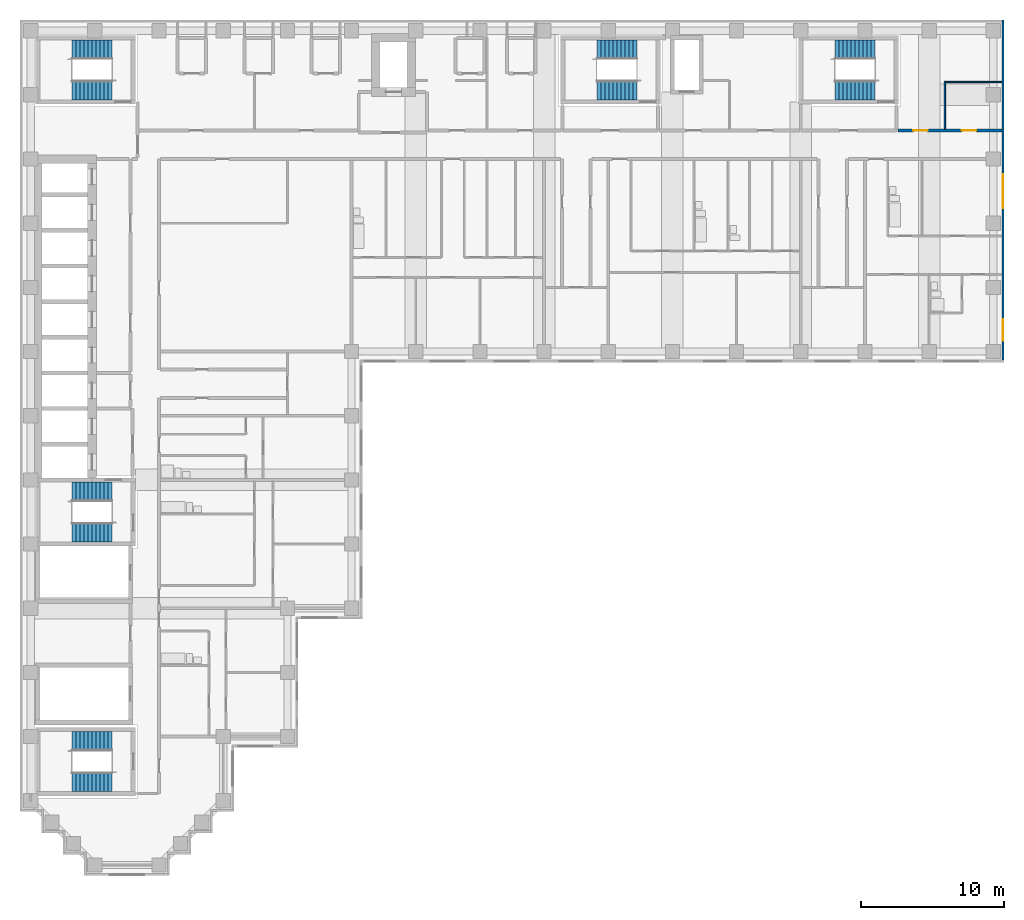
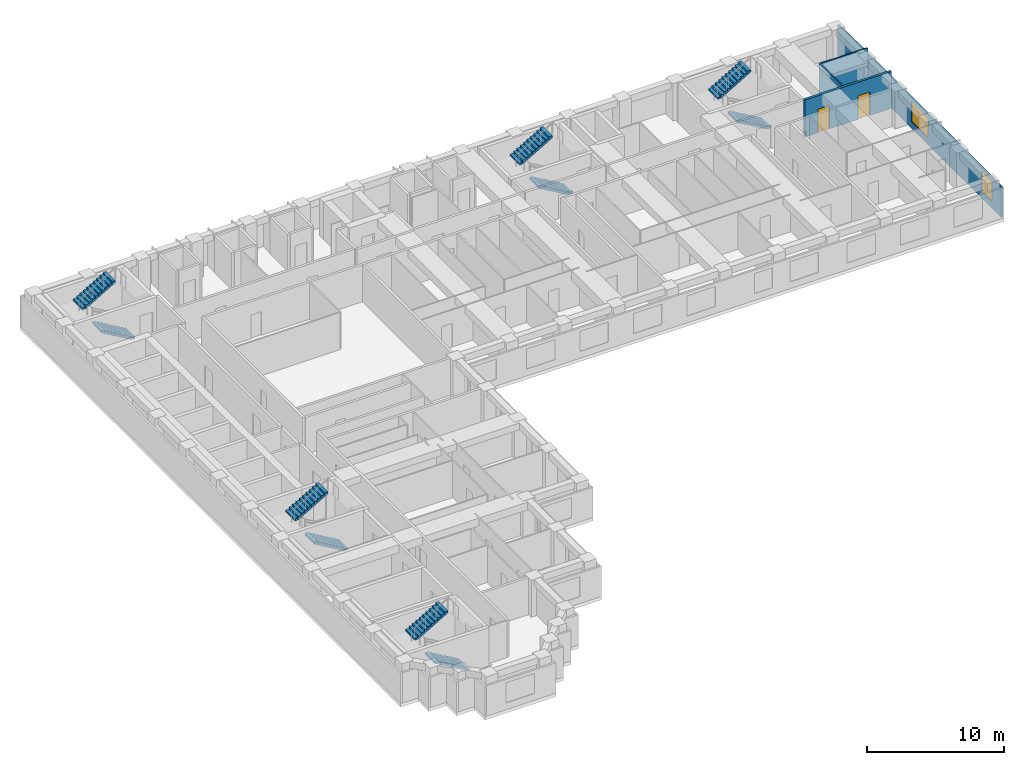
# One storey, part 9 of 11: 10 stair flights, 4 walls, 2 doors, 2 windows, 4 openings, 5 elements without a shape of their own.
"""IFC4 building model written with IfcOpenShell, lengths in metres."""

from ifc_helpers import new_model, si_unit, direction, frame, frame_2d, origin, place, context, subcontext, project, spatial, polyline, rectangle, outline, extrude, material, layer, layer_set, type_object, element, fill, aggregate, save


model = new_model("IFC4")

# Units and contexts
model_context = context("Model", 3, precision=1e-05, world=origin(), true_north=direction((0.0, 1.0)))
body_context = subcontext(model_context, "Body", "Model", "MODEL_VIEW")
ifc_project = project(units=[si_unit("LENGTHUNIT", "METRE"), si_unit("AREAUNIT", "SQUARE_METRE"), si_unit("VOLUMEUNIT", "CUBIC_METRE"), si_unit("PLANEANGLEUNIT", "RADIAN"), si_unit("MASSUNIT", "GRAM", prefix="KILO")], contexts=[model_context])

# Site, building, storey
site_placement = place(None, origin())
site = spatial("IfcSite", under=ifc_project, at=site_placement, CompositionType="ELEMENT")
building_placement = place(site_placement, origin())
building = spatial("IfcBuilding", under=site, at=building_placement, Name="Firuza Court", CompositionType="ELEMENT")
storey_placement = place(building_placement, frame((0.0, 0.0, 134.0)))
storey = spatial("IfcBuildingStorey", under=building, at=storey_placement, Name="L33", CompositionType="ELEMENT", Elevation=134.0)

# Wall, openings, doors
ifc_material_1 = material(Name="Blockwork, plastered both sides", Category="masonry")
ifc_layer_1 = layer(ifc_material_1, 0.199951171875)
ifc_layer_set_1 = layer_set([ifc_layer_1], Name="Blockwork, plastered both sides")
wall_type_1 = type_object("IfcWallType", Name="Corridor wall 200", PredefinedType="PARTITIONING", material=ifc_layer_set_1)
wall_1_placement = place(storey_placement, frame((60.800048828125, 51.5, 0.0), z_axis=(0.0, 0.0, 1.0), x_axis=(1.0, 0.0, 0.0)))
wall_1 = element("IfcWall", 1, at=wall_1_placement, inside=storey, type_object=wall_type_1, Name="Corridor wall 200 L33", PredefinedType="PARTITIONING", context=body_context, shape_type="SweptSolid", body=[
    extrude(rectangle(XDim=7.300048828125, YDim=0.199951171875, at=frame_2d((3.64990234375, 0.0))), origin(), (0.0, 0.0, 1.0), 3.300048828125),
])
opening_1_placement = place(wall_1_placement, frame((1.10009765625, 0.0, 0.0)))
opening_1 = element("IfcOpeningElement", 2, at=opening_1_placement, cuts=wall_1, Name="Opening D33074", PredefinedType="OPENING", context=body_context, shape_type="SweptSolid", body=[
    extrude(rectangle(XDim=1.0, YDim=2.10009765625, at=frame_2d((0.5, 1.050048828125))), frame((0.0, 0.11181640625, 0.0), z_axis=(0.0, -1.0, 0.0), x_axis=(1.0, 0.0, 0.0)), (0.0, 0.0, 1.0), 0.223876953125),
])
opening_2_placement = place(wall_1_placement, frame((4.5, 0.0, 0.0)))
opening_2 = element("IfcOpeningElement", 3, at=opening_2_placement, cuts=wall_1, Name="Opening D33075", PredefinedType="OPENING", context=body_context, shape_type="SweptSolid", body=[
    extrude(rectangle(XDim=1.0, YDim=2.10009765625, at=frame_2d((0.5, 1.050048828125))), frame((0.0, 0.11181640625, 0.0), z_axis=(0.0, -1.0, 0.0), x_axis=(1.0, 0.0, 0.0)), (0.0, 0.0, 1.0), 0.223876953125),
])
ifc_material_2 = material(Name="Timber door leaf in hardwood frame", Category="wood")
door_type = type_object("IfcDoorType", Name="Store door 1000", OperationType="SINGLE_SWING_LEFT", PredefinedType="DOOR", material=ifc_material_2)
door_1_placement = place(opening_1_placement, origin())
door_1 = element("IfcDoor", 4, at=door_1_placement, inside=storey, type_object=door_type, Name="Comms room door", OperationType="SINGLE_SWING_LEFT", OverallHeight=2.10009765625, OverallWidth=1.0, PredefinedType="DOOR", context=body_context, shape_type="SweptSolid", body=[
    extrude(rectangle(XDim=1.0, YDim=2.10009765625, at=frame_2d((0.5, 1.050048828125))), frame((0.0, 0.02490234375, 0.0), z_axis=(0.0, -1.0, 0.0), x_axis=(1.0, 0.0, 0.0)), (0.0, 0.0, 1.0), 0.050048828125),
])
fill(opening_1, door_1)
door_2_placement = place(opening_2_placement, origin())
door_2 = element("IfcDoor", 5, at=door_2_placement, inside=storey, type_object=door_type, Name="Cleaner's store door", OperationType="SINGLE_SWING_LEFT", OverallHeight=2.10009765625, OverallWidth=1.0, PredefinedType="DOOR", context=body_context, shape_type="SweptSolid", body=[
    extrude(rectangle(XDim=1.0, YDim=2.10009765625, at=frame_2d((0.5, 1.050048828125))), frame((0.0, 0.02490234375, 0.0), z_axis=(0.0, -1.0, 0.0), x_axis=(1.0, 0.0, 0.0)), (0.0, 0.0, 1.0), 0.050048828125),
])
fill(opening_2, door_2)

# Walls
ifc_material_3 = material(Name="Timber stud partition, plasterboard both sides", Category="wood")
ifc_layer_2 = layer(ifc_material_3, 0.10009765625)
ifc_layer_set_2 = layer_set([ifc_layer_2], Name="Timber stud partition, plasterboard both sides")
wall_type_2 = type_object("IfcWallType", Name="Partition wall 100", PredefinedType="PARTITIONING", material=ifc_layer_set_2)
wall_2_placement = place(storey_placement, frame((64.10009765625, 51.60009765625, 0.0), z_axis=(0.0, 0.0, 1.0), x_axis=(0.0, 1.0, 0.0)))
element("IfcWall", 6, at=wall_2_placement, inside=storey, type_object=wall_type_2, Name="Partition wall 100 L33", PredefinedType="PARTITIONING", context=body_context, shape_type="SweptSolid", body=[
    extrude(rectangle(XDim=3.349853515625, YDim=0.10009765625, at=frame_2d((1.6748046875, 0.0))), origin(), (0.0, 0.0, 1.0), 3.300048828125),
])
wall_3_placement = place(storey_placement, frame((64.14990234375, 54.89990234375, 0.0), z_axis=(0.0, 0.0, 1.0), x_axis=(1.0, 0.0, 0.0)))
element("IfcWall", 7, at=wall_3_placement, inside=storey, type_object=wall_type_2, Name="Partition wall 100 L33", PredefinedType="PARTITIONING", context=body_context, shape_type="SweptSolid", body=[
    extrude(rectangle(XDim=3.9501953125, YDim=0.10009765625, at=frame_2d((1.97509765625, 0.0))), origin(), (0.0, 0.0, 1.0), 3.300048828125),
])

# Wall, openings, windows
ifc_material_4 = material(Name="Ceramic tile", Category="ceramic")
ifc_layer_3 = layer(ifc_material_4, 0.02001953125)
ifc_material_5 = material(Name="Mineral wool insulation", Category="insulation")
ifc_layer_4 = layer(ifc_material_5, 0.050048828125)
ifc_material_6 = material(Name="Concrete C40/50 precast", Category="concrete")
ifc_layer_5 = layer(ifc_material_6, 0.080078125)
ifc_layer_set_3 = layer_set([ifc_layer_3, ifc_layer_4, ifc_layer_5], Name="Concrete C40/50 precast")
wall_type_3 = type_object("IfcWallType", Name="Precast cladding wall with turquoise TILE PANEL face 150", PredefinedType="STANDARD", material=ifc_layer_set_3)
wall_4_placement = place(storey_placement, frame((68.175048828125, 35.39990234375, 0.0), z_axis=(0.0, 0.0, 1.0), x_axis=(0.0, 1.0, 0.0)))
wall_4 = element("IfcWall", 8, at=wall_4_placement, inside=storey, type_object=wall_type_3, Name="Facade wall L33 E", PredefinedType="STANDARD", context=body_context, shape_type="SweptSolid", body=[
    extrude(rectangle(XDim=23.85009765625, YDim=0.14990234375, at=frame_2d((11.925048828125, 0.0))), origin(), (0.0, 0.0, 1.0), 2.699951171875),
])
opening_3_placement = place(wall_4_placement, frame((1.353515625, 0.0, 0.60009765625)))
opening_3 = element("IfcOpeningElement", 9, at=opening_3_placement, cuts=wall_4, Name="Opening W2", PredefinedType="OPENING", context=body_context, shape_type="SweptSolid", body=[
    extrude(rectangle(XDim=1.5, YDim=1.800048828125, at=frame_2d((0.75, 0.89990234375))), frame((0.0, 0.0869140625, 0.0), z_axis=(0.0, -1.0, 0.0), x_axis=(1.0, 0.0, 0.0)), (0.0, 0.0, 1.0), 0.173828125),
])
opening_4_placement = place(wall_4_placement, frame((10.64990234375, 0.0, 0.60009765625)))
opening_4 = element("IfcOpeningElement", 10, at=opening_4_placement, cuts=wall_4, Name="Opening W1", PredefinedType="OPENING", context=body_context, shape_type="SweptSolid", body=[
    extrude(rectangle(XDim=2.39990234375, YDim=1.800048828125, at=frame_2d((1.199951171875, 0.89990234375))), frame((0.0, 0.0869140625, 0.0), z_axis=(0.0, -1.0, 0.0), x_axis=(1.0, 0.0, 0.0)), (0.0, 0.0, 1.0), 0.173828125),
])
ifc_material_7 = material(Name="Aluminium frame, triple clear glazing", Category="aluminium")
window_type_1 = type_object("IfcWindowType", Name="Window W1 2400 x 1800", PartitioningType="SINGLE_PANEL", PredefinedType="WINDOW", material=ifc_material_7)
window_1_placement = place(opening_4_placement, origin())
window_1 = element("IfcWindow", 11, at=window_1_placement, inside=storey, type_object=window_type_1, Name="Window L33", OverallHeight=1.800048828125, OverallWidth=2.39990234375, PartitioningType="SINGLE_PANEL", PredefinedType="WINDOW", context=body_context, shape_type="SweptSolid", body=[
    extrude(rectangle(XDim=2.39990234375, YDim=1.800048828125, at=frame_2d((1.199951171875, 0.89990234375))), frame((0.0, 0.030029296875, 0.0), z_axis=(0.0, -1.0, 0.0), x_axis=(1.0, 0.0, 0.0)), (0.0, 0.0, 1.0), 0.06005859375),
])
fill(opening_4, window_1)
ifc_material_8 = material(Name="Aluminium frame, triple clear glazing", Category="aluminium")
window_type_2 = type_object("IfcWindowType", Name="Window W2 1500 x 1800", PartitioningType="SINGLE_PANEL", PredefinedType="WINDOW", material=ifc_material_8)
window_2_placement = place(opening_3_placement, origin())
window_2 = element("IfcWindow", 12, at=window_2_placement, inside=storey, type_object=window_type_2, Name="Window L33", OverallHeight=1.800048828125, OverallWidth=1.5, PartitioningType="SINGLE_PANEL", PredefinedType="WINDOW", context=body_context, shape_type="SweptSolid", body=[
    extrude(rectangle(XDim=1.5, YDim=1.800048828125, at=frame_2d((0.75, 0.89990234375))), frame((0.0, 0.030029296875, 0.0), z_axis=(0.0, -1.0, 0.0), x_axis=(1.0, 0.0, 0.0)), (0.0, 0.0, 1.0), 0.06005859375),
])
fill(opening_3, window_2)

# Stair, stair flights
ifc_material_9 = material(Name="Concrete C40/50 precast", Category="concrete")
stair_type = type_object("IfcStairType", Name="Stair 1350 x 3600 2 flights", PredefinedType="HALF_TURN_STAIR", material=ifc_material_9)
stair_1_placement = place(storey_placement, origin())
stair_1 = element("IfcStair", 13, at=stair_1_placement, inside=storey, type_object=stair_type, Name="Stair 1 L33", PredefinedType="HALF_TURN_STAIR")
ifc_material_10 = material(Name="Concrete C40/50 precast", Category="concrete")
stair_flight_type = type_object("IfcStairFlightType", Name="Flight 1350 riser 163.6", PredefinedType="STRAIGHT", material=ifc_material_10)
stair_flight_1_placement = place(storey_placement, frame((42.5, 54.324951171875, 0.0), z_axis=(0.0, 0.0, 1.0), x_axis=(-1.0, 0.0, 0.0)))
stair_flight_1 = element("IfcStairFlight", 14, at=stair_flight_1_placement, type_object=stair_flight_type, Name="S1 flight 1", NumberOfRisers=11, NumberOfTreads=10, PredefinedType="STRAIGHT", RiserHeight=0.163636364, TreadLength=0.28, context=body_context, shape_type="SweptSolid", body=[
    extrude(outline(polyline([(0.0, 0.0), (0.0, 0.16357421875), (0.280029296875, 0.16357421875), (0.280029296875, 0.327392578125), (0.56005859375, 0.327392578125), (0.56005859375, 0.490966796875), (0.840087890625, 0.490966796875), (0.840087890625, 0.654541015625), (1.1201171875, 0.654541015625), (1.1201171875, 0.818115234375), (1.39990234375, 0.818115234375), (1.39990234375, 0.98193359375), (1.679931640625, 0.98193359375), (1.679931640625, 1.1455078125), (1.9599609375, 1.1455078125), (1.9599609375, 1.30908203125), (2.239990234375, 1.30908203125), (2.239990234375, 1.47265625), (2.52001953125, 1.47265625), (2.52001953125, 1.636474609375), (2.800048828125, 1.636474609375), (2.800048828125, 1.800048828125), (2.800048828125, 1.462646484375), (0.297119140625, 0.0), (0.0, 0.0)])), frame((0.0, 0.675048828125, 0.0), z_axis=(0.0, -1.0, 0.0), x_axis=(1.0, 0.0, 0.0)), (0.0, 0.0, 1.0), 1.35009765625),
])
stair_flight_2_placement = place(storey_placement, frame((39.699951171875, 57.175048828125, 1.800048828125), z_axis=(0.0, 0.0, 1.0), x_axis=(1.0, 0.0, 0.0)))
stair_flight_2 = element("IfcStairFlight", 15, at=stair_flight_2_placement, type_object=stair_flight_type, Name="S1 flight 2", NumberOfRisers=11, NumberOfTreads=10, PredefinedType="STRAIGHT", RiserHeight=0.163636364, TreadLength=0.28, context=body_context, shape_type="SweptSolid", body=[
    extrude(outline(polyline([(0.0, 0.0), (0.0, 0.16357421875), (0.280029296875, 0.16357421875), (0.280029296875, 0.327392578125), (0.56005859375, 0.327392578125), (0.56005859375, 0.490966796875), (0.840087890625, 0.490966796875), (0.840087890625, 0.654541015625), (1.1201171875, 0.654541015625), (1.1201171875, 0.818115234375), (1.39990234375, 0.818115234375), (1.39990234375, 0.98193359375), (1.679931640625, 0.98193359375), (1.679931640625, 1.1455078125), (1.9599609375, 1.1455078125), (1.9599609375, 1.30908203125), (2.239990234375, 1.30908203125), (2.239990234375, 1.47265625), (2.52001953125, 1.47265625), (2.52001953125, 1.636474609375), (2.800048828125, 1.636474609375), (2.800048828125, 1.800048828125), (2.800048828125, 1.462646484375), (0.297119140625, 0.0), (0.0, 0.0)])), frame((0.0, 0.675048828125, 0.0), z_axis=(0.0, -1.0, 0.0), x_axis=(1.0, 0.0, 0.0)), (0.0, 0.0, 1.0), 1.35009765625),
])
aggregate(stair_1, [stair_flight_1, stair_flight_2])

stair_2_placement = place(storey_placement, origin())
stair_2 = element("IfcStair", 16, at=stair_2_placement, inside=storey, type_object=stair_type, Name="Stair 2 L33", PredefinedType="HALF_TURN_STAIR")
stair_flight_3_placement = place(storey_placement, frame((5.699951171875, 23.324951171875, 0.0), z_axis=(0.0, 0.0, 1.0), x_axis=(-1.0, 0.0, 0.0)))
stair_flight_3 = element("IfcStairFlight", 17, at=stair_flight_3_placement, type_object=stair_flight_type, Name="S2 flight 1", NumberOfRisers=11, NumberOfTreads=10, PredefinedType="STRAIGHT", RiserHeight=0.163636364, TreadLength=0.28, context=body_context, shape_type="SweptSolid", body=[
    extrude(outline(polyline([(0.0, 0.0), (0.0, 0.16357421875), (0.280029296875, 0.16357421875), (0.280029296875, 0.327392578125), (0.56005859375, 0.327392578125), (0.56005859375, 0.490966796875), (0.840087890625, 0.490966796875), (0.840087890625, 0.654541015625), (1.1201171875, 0.654541015625), (1.1201171875, 0.818115234375), (1.39990234375, 0.818115234375), (1.39990234375, 0.98193359375), (1.679931640625, 0.98193359375), (1.679931640625, 1.1455078125), (1.9599609375, 1.1455078125), (1.9599609375, 1.30908203125), (2.239990234375, 1.30908203125), (2.239990234375, 1.47265625), (2.52001953125, 1.47265625), (2.52001953125, 1.636474609375), (2.800048828125, 1.636474609375), (2.800048828125, 1.800048828125), (2.800048828125, 1.462646484375), (0.297119140625, 0.0), (0.0, 0.0)])), frame((0.0, 0.675048828125, 0.0), z_axis=(0.0, -1.0, 0.0), x_axis=(1.0, 0.0, 0.0)), (0.0, 0.0, 1.0), 1.35009765625),
])
stair_flight_4_placement = place(storey_placement, frame((2.89990234375, 26.175048828125, 1.800048828125), z_axis=(0.0, 0.0, 1.0), x_axis=(1.0, 0.0, 0.0)))
stair_flight_4 = element("IfcStairFlight", 18, at=stair_flight_4_placement, type_object=stair_flight_type, Name="S2 flight 2", NumberOfRisers=11, NumberOfTreads=10, PredefinedType="STRAIGHT", RiserHeight=0.163636364, TreadLength=0.28, context=body_context, shape_type="SweptSolid", body=[
    extrude(outline(polyline([(0.0, 0.0), (0.0, 0.16357421875), (0.280029296875, 0.16357421875), (0.280029296875, 0.327392578125), (0.56005859375, 0.327392578125), (0.56005859375, 0.490966796875), (0.840087890625, 0.490966796875), (0.840087890625, 0.654541015625), (1.1201171875, 0.654541015625), (1.1201171875, 0.818115234375), (1.39990234375, 0.818115234375), (1.39990234375, 0.98193359375), (1.679931640625, 0.98193359375), (1.679931640625, 1.1455078125), (1.9599609375, 1.1455078125), (1.9599609375, 1.30908203125), (2.239990234375, 1.30908203125), (2.239990234375, 1.47265625), (2.52001953125, 1.47265625), (2.52001953125, 1.636474609375), (2.800048828125, 1.636474609375), (2.800048828125, 1.800048828125), (2.800048828125, 1.462646484375), (0.297119140625, 0.0), (0.0, 0.0)])), frame((0.0, 0.675048828125, 0.0), z_axis=(0.0, -1.0, 0.0), x_axis=(1.0, 0.0, 0.0)), (0.0, 0.0, 1.0), 1.35009765625),
])
aggregate(stair_2, [stair_flight_3, stair_flight_4])

stair_3_placement = place(storey_placement, origin())
stair_3 = element("IfcStair", 19, at=stair_3_placement, inside=storey, type_object=stair_type, Name="Stair 3 L33", PredefinedType="HALF_TURN_STAIR")
stair_flight_5_placement = place(storey_placement, frame((5.699951171875, 54.324951171875, 0.0), z_axis=(0.0, 0.0, 1.0), x_axis=(-1.0, 0.0, 0.0)))
stair_flight_5 = element("IfcStairFlight", 20, at=stair_flight_5_placement, type_object=stair_flight_type, Name="S3 flight 1", NumberOfRisers=11, NumberOfTreads=10, PredefinedType="STRAIGHT", RiserHeight=0.163636364, TreadLength=0.28, context=body_context, shape_type="SweptSolid", body=[
    extrude(outline(polyline([(0.0, 0.0), (0.0, 0.16357421875), (0.280029296875, 0.16357421875), (0.280029296875, 0.327392578125), (0.56005859375, 0.327392578125), (0.56005859375, 0.490966796875), (0.840087890625, 0.490966796875), (0.840087890625, 0.654541015625), (1.1201171875, 0.654541015625), (1.1201171875, 0.818115234375), (1.39990234375, 0.818115234375), (1.39990234375, 0.98193359375), (1.679931640625, 0.98193359375), (1.679931640625, 1.1455078125), (1.9599609375, 1.1455078125), (1.9599609375, 1.30908203125), (2.239990234375, 1.30908203125), (2.239990234375, 1.47265625), (2.52001953125, 1.47265625), (2.52001953125, 1.636474609375), (2.800048828125, 1.636474609375), (2.800048828125, 1.800048828125), (2.800048828125, 1.462646484375), (0.297119140625, 0.0), (0.0, 0.0)])), frame((0.0, 0.675048828125, 0.0), z_axis=(0.0, -1.0, 0.0), x_axis=(1.0, 0.0, 0.0)), (0.0, 0.0, 1.0), 1.35009765625),
])
stair_flight_6_placement = place(storey_placement, frame((2.89990234375, 57.175048828125, 1.800048828125), z_axis=(0.0, 0.0, 1.0), x_axis=(1.0, 0.0, 0.0)))
stair_flight_6 = element("IfcStairFlight", 21, at=stair_flight_6_placement, type_object=stair_flight_type, Name="S3 flight 2", NumberOfRisers=11, NumberOfTreads=10, PredefinedType="STRAIGHT", RiserHeight=0.163636364, TreadLength=0.28, context=body_context, shape_type="SweptSolid", body=[
    extrude(outline(polyline([(0.0, 0.0), (0.0, 0.16357421875), (0.280029296875, 0.16357421875), (0.280029296875, 0.327392578125), (0.56005859375, 0.327392578125), (0.56005859375, 0.490966796875), (0.840087890625, 0.490966796875), (0.840087890625, 0.654541015625), (1.1201171875, 0.654541015625), (1.1201171875, 0.818115234375), (1.39990234375, 0.818115234375), (1.39990234375, 0.98193359375), (1.679931640625, 0.98193359375), (1.679931640625, 1.1455078125), (1.9599609375, 1.1455078125), (1.9599609375, 1.30908203125), (2.239990234375, 1.30908203125), (2.239990234375, 1.47265625), (2.52001953125, 1.47265625), (2.52001953125, 1.636474609375), (2.800048828125, 1.636474609375), (2.800048828125, 1.800048828125), (2.800048828125, 1.462646484375), (0.297119140625, 0.0), (0.0, 0.0)])), frame((0.0, 0.675048828125, 0.0), z_axis=(0.0, -1.0, 0.0), x_axis=(1.0, 0.0, 0.0)), (0.0, 0.0, 1.0), 1.35009765625),
])
aggregate(stair_3, [stair_flight_5, stair_flight_6])

stair_4_placement = place(storey_placement, origin())
stair_4 = element("IfcStair", 22, at=stair_4_placement, inside=storey, type_object=stair_type, Name="Stair 4 L33", PredefinedType="HALF_TURN_STAIR")
stair_flight_7_placement = place(storey_placement, frame((59.199951171875, 54.324951171875, 0.0), z_axis=(0.0, 0.0, 1.0), x_axis=(-1.0, 0.0, 0.0)))
stair_flight_7 = element("IfcStairFlight", 23, at=stair_flight_7_placement, type_object=stair_flight_type, Name="S4 flight 1", NumberOfRisers=11, NumberOfTreads=10, PredefinedType="STRAIGHT", RiserHeight=0.163636364, TreadLength=0.28, context=body_context, shape_type="SweptSolid", body=[
    extrude(outline(polyline([(0.0, 0.0), (0.0, 0.16357421875), (0.280029296875, 0.16357421875), (0.280029296875, 0.327392578125), (0.56005859375, 0.327392578125), (0.56005859375, 0.490966796875), (0.840087890625, 0.490966796875), (0.840087890625, 0.654541015625), (1.1201171875, 0.654541015625), (1.1201171875, 0.818115234375), (1.39990234375, 0.818115234375), (1.39990234375, 0.98193359375), (1.679931640625, 0.98193359375), (1.679931640625, 1.1455078125), (1.9599609375, 1.1455078125), (1.9599609375, 1.30908203125), (2.239990234375, 1.30908203125), (2.239990234375, 1.47265625), (2.52001953125, 1.47265625), (2.52001953125, 1.636474609375), (2.800048828125, 1.636474609375), (2.800048828125, 1.800048828125), (2.800048828125, 1.462646484375), (0.297119140625, 0.0), (0.0, 0.0)])), frame((0.0, 0.675048828125, 0.0), z_axis=(0.0, -1.0, 0.0), x_axis=(1.0, 0.0, 0.0)), (0.0, 0.0, 1.0), 1.35009765625),
])
stair_flight_8_placement = place(storey_placement, frame((56.39990234375, 57.175048828125, 1.800048828125), z_axis=(0.0, 0.0, 1.0), x_axis=(1.0, 0.0, 0.0)))
stair_flight_8 = element("IfcStairFlight", 24, at=stair_flight_8_placement, type_object=stair_flight_type, Name="S4 flight 2", NumberOfRisers=11, NumberOfTreads=10, PredefinedType="STRAIGHT", RiserHeight=0.163636364, TreadLength=0.28, context=body_context, shape_type="SweptSolid", body=[
    extrude(outline(polyline([(0.0, 0.0), (0.0, 0.16357421875), (0.280029296875, 0.16357421875), (0.280029296875, 0.327392578125), (0.56005859375, 0.327392578125), (0.56005859375, 0.490966796875), (0.840087890625, 0.490966796875), (0.840087890625, 0.654541015625), (1.1201171875, 0.654541015625), (1.1201171875, 0.818115234375), (1.39990234375, 0.818115234375), (1.39990234375, 0.98193359375), (1.679931640625, 0.98193359375), (1.679931640625, 1.1455078125), (1.9599609375, 1.1455078125), (1.9599609375, 1.30908203125), (2.239990234375, 1.30908203125), (2.239990234375, 1.47265625), (2.52001953125, 1.47265625), (2.52001953125, 1.636474609375), (2.800048828125, 1.636474609375), (2.800048828125, 1.800048828125), (2.800048828125, 1.462646484375), (0.297119140625, 0.0), (0.0, 0.0)])), frame((0.0, 0.675048828125, 0.0), z_axis=(0.0, -1.0, 0.0), x_axis=(1.0, 0.0, 0.0)), (0.0, 0.0, 1.0), 1.35009765625),
])
aggregate(stair_4, [stair_flight_7, stair_flight_8])

stair_5_placement = place(storey_placement, origin())
stair_5 = element("IfcStair", 25, at=stair_5_placement, inside=storey, type_object=stair_type, Name="Stair 5 L33", PredefinedType="HALF_TURN_STAIR")
stair_flight_9_placement = place(storey_placement, frame((5.699951171875, 5.824951171875, 0.0), z_axis=(0.0, 0.0, 1.0), x_axis=(-1.0, 0.0, 0.0)))
stair_flight_9 = element("IfcStairFlight", 26, at=stair_flight_9_placement, type_object=stair_flight_type, Name="S5 flight 1", NumberOfRisers=11, NumberOfTreads=10, PredefinedType="STRAIGHT", RiserHeight=0.163636364, TreadLength=0.28, context=body_context, shape_type="SweptSolid", body=[
    extrude(outline(polyline([(0.0, 0.0), (0.0, 0.16357421875), (0.280029296875, 0.16357421875), (0.280029296875, 0.327392578125), (0.56005859375, 0.327392578125), (0.56005859375, 0.490966796875), (0.840087890625, 0.490966796875), (0.840087890625, 0.654541015625), (1.1201171875, 0.654541015625), (1.1201171875, 0.818115234375), (1.39990234375, 0.818115234375), (1.39990234375, 0.98193359375), (1.679931640625, 0.98193359375), (1.679931640625, 1.1455078125), (1.9599609375, 1.1455078125), (1.9599609375, 1.30908203125), (2.239990234375, 1.30908203125), (2.239990234375, 1.47265625), (2.52001953125, 1.47265625), (2.52001953125, 1.636474609375), (2.800048828125, 1.636474609375), (2.800048828125, 1.800048828125), (2.800048828125, 1.462646484375), (0.297119140625, 0.0), (0.0, 0.0)])), frame((0.0, 0.675048828125, 0.0), z_axis=(0.0, -1.0, 0.0), x_axis=(1.0, 0.0, 0.0)), (0.0, 0.0, 1.0), 1.35009765625),
])
stair_flight_10_placement = place(storey_placement, frame((2.89990234375, 8.675048828125, 1.800048828125), z_axis=(0.0, 0.0, 1.0), x_axis=(1.0, 0.0, 0.0)))
stair_flight_10 = element("IfcStairFlight", 27, at=stair_flight_10_placement, type_object=stair_flight_type, Name="S5 flight 2", NumberOfRisers=11, NumberOfTreads=10, PredefinedType="STRAIGHT", RiserHeight=0.163636364, TreadLength=0.28, context=body_context, shape_type="SweptSolid", body=[
    extrude(outline(polyline([(0.0, 0.0), (0.0, 0.16357421875), (0.280029296875, 0.16357421875), (0.280029296875, 0.327392578125), (0.56005859375, 0.327392578125), (0.56005859375, 0.490966796875), (0.840087890625, 0.490966796875), (0.840087890625, 0.654541015625), (1.1201171875, 0.654541015625), (1.1201171875, 0.818115234375), (1.39990234375, 0.818115234375), (1.39990234375, 0.98193359375), (1.679931640625, 0.98193359375), (1.679931640625, 1.1455078125), (1.9599609375, 1.1455078125), (1.9599609375, 1.30908203125), (2.239990234375, 1.30908203125), (2.239990234375, 1.47265625), (2.52001953125, 1.47265625), (2.52001953125, 1.636474609375), (2.800048828125, 1.636474609375), (2.800048828125, 1.800048828125), (2.800048828125, 1.462646484375), (0.297119140625, 0.0), (0.0, 0.0)])), frame((0.0, 0.675048828125, 0.0), z_axis=(0.0, -1.0, 0.0), x_axis=(1.0, 0.0, 0.0)), (0.0, 0.0, 1.0), 1.35009765625),
])
aggregate(stair_5, [stair_flight_9, stair_flight_10])

save(model, "model.ifc")
